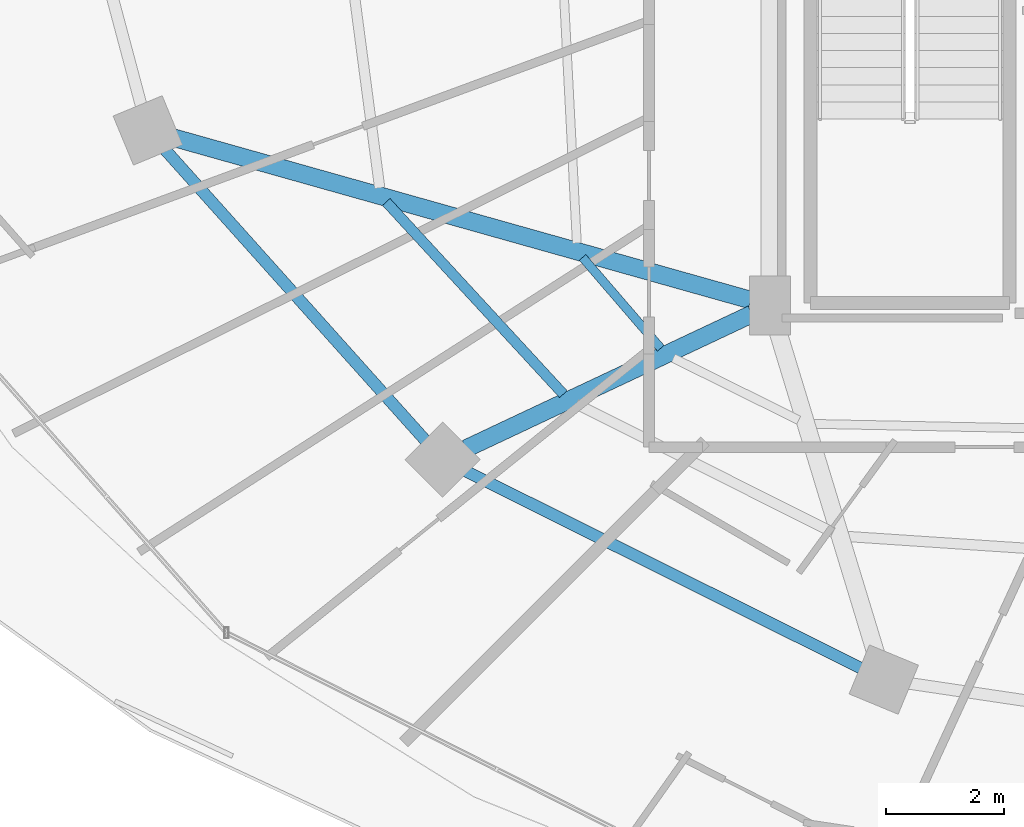
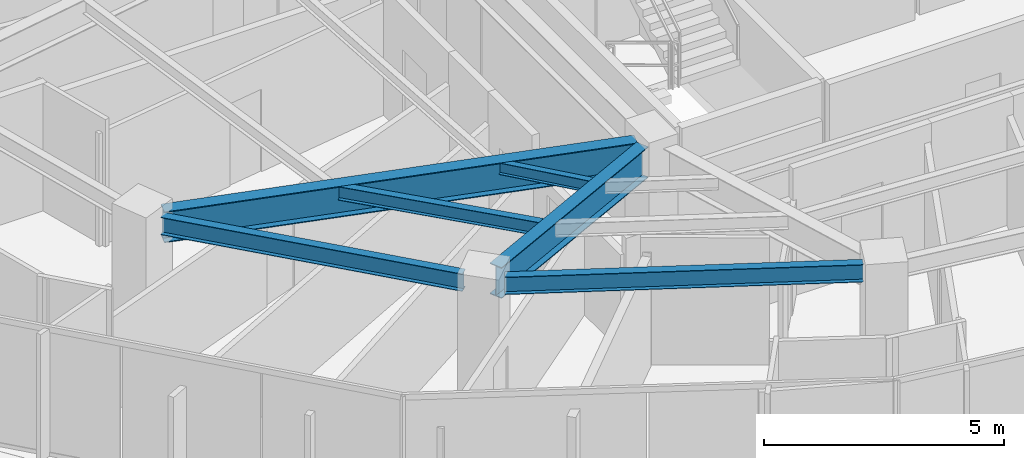
# One storey, part 4 of 33: 6 beams.
"""IFC4 building model written with IfcOpenShell, lengths in metres."""

from ifc_helpers import new_model, si_unit, direction, frame, origin, origin_2d, place, context, subcontext, project, spatial, i_section, extrude, material, material_profile, profile_set, type_object, element, save


model = new_model("IFC4")

# Units and contexts
model_context = context("Model", 3, precision=1e-05, world=origin(), true_north=direction((0.0, 1.0)))
body_context = subcontext(model_context, "Body", "Model", "MODEL_VIEW")
ifc_project = project(units=[si_unit("LENGTHUNIT", "METRE"), si_unit("AREAUNIT", "SQUARE_METRE"), si_unit("VOLUMEUNIT", "CUBIC_METRE"), si_unit("PLANEANGLEUNIT", "RADIAN"), si_unit("MASSUNIT", "GRAM", prefix="KILO")], contexts=[model_context])

# Site, building, storey
site_placement = place(None, origin())
site = spatial("IfcSite", under=ifc_project, at=site_placement, CompositionType="ELEMENT")
building_placement = place(site_placement, origin())
building = spatial("IfcBuilding", under=site, at=building_placement, Name="Vorneva Point Tower", CompositionType="ELEMENT")
storey_placement = place(building_placement, frame((0.0, 0.0, 179.10009765625)))
storey = spatial("IfcBuildingStorey", under=building, at=storey_placement, Name="L48", CompositionType="ELEMENT", Elevation=179.10009765625)

# Beams
ifc_material = material(Name="Steel S355", Category="steel")
ifc_material_profile_1 = material_profile(ifc_material, i_section(OverallWidth=0.300048828125, OverallDepth=0.7880859375, WebThickness=0.014404296875, FlangeThickness=0.02197265625, at=origin_2d()), Name="80Sh1")
ifc_profile_set_1 = profile_set([ifc_material_profile_1], Name="Steel S355")
beam_type_1 = type_object("IfcBeamType", Name="BM-GRD-80Sh1", PredefinedType="USERDEFINED", material=ifc_profile_set_1)
beam_1_placement = place(storey_placement, frame((17.126220703125, 19.299072265625, 2.845947265625), z_axis=(0.962603641144, -0.270913694847, 0.0), x_axis=(0.270913694847, 0.962603641144, 0.0)))
element("IfcBeam", 1, at=beam_1_placement, inside=storey, type_object=beam_type_1, Name="L48 Radial Primary Girder 10", ObjectType="GIRDER", PredefinedType="USERDEFINED", context=body_context, shape_type="SweptSolid", body=[
    extrude(i_section(OverallWidth=0.300048828125, OverallDepth=0.7880859375, WebThickness=0.014404296875, FlangeThickness=0.02197265625, at=origin_2d()), origin(), (0.0, 0.0, 1.0), 10.177001953125),
])
beam_2_placement = place(storey_placement, frame((22.097412109375, 14.0244140625, 2.845947265625), z_axis=(0.904762899762, 0.42591559635, 0.0), x_axis=(-0.42591559635, 0.904762899762, 0.0)))
element("IfcBeam", 2, at=beam_2_placement, inside=storey, type_object=beam_type_1, Name="L48 Radial Primary Girder 11", ObjectType="GIRDER", PredefinedType="USERDEFINED", context=body_context, shape_type="SweptSolid", body=[
    extrude(i_section(OverallWidth=0.300048828125, OverallDepth=0.7880859375, WebThickness=0.014404296875, FlangeThickness=0.02197265625, at=origin_2d()), origin(), (0.0, 0.0, 1.0), 5.35498046875),
])
ifc_material_profile_2 = material_profile(ifc_material, i_section(OverallWidth=0.14892578125, OverallDepth=0.298095703125, WebThickness=0.005615234375, FlangeThickness=0.008056640625, at=origin_2d()), Name="30B1")
ifc_profile_set_2 = profile_set([ifc_material_profile_2], Name="Steel S355")
beam_type_2 = type_object("IfcBeamType", Name="BM-JST-30B1", PredefinedType="JOIST", material=ifc_profile_set_2)
beam_3_placement = place(storey_placement, frame((24.07373046875, 17.2646484375, 3.0908203125), z_axis=(0.652492456858, -0.757795218871, 0.0), x_axis=(0.757795218871, 0.652492456858, 0.0)))
element("IfcBeam", 3, at=beam_3_placement, inside=storey, type_object=beam_type_2, Name="L48 Secondary Floor Beam 2.10", PredefinedType="JOIST", context=body_context, shape_type="SweptSolid", body=[
    extrude(i_section(OverallWidth=0.14892578125, OverallDepth=0.298095703125, WebThickness=0.005615234375, FlangeThickness=0.008056640625, at=origin_2d()), origin(), (0.0, 0.0, 1.0), 2.031005859375),
])
ifc_material_profile_3 = material_profile(ifc_material, i_section(OverallWidth=0.174072265625, OverallDepth=0.345947265625, WebThickness=0.006103515625, FlangeThickness=0.009033203125, at=origin_2d()), Name="35B1")
ifc_profile_set_3 = profile_set([ifc_material_profile_3], Name="Steel S355")
beam_type_3 = type_object("IfcBeamType", Name="BM-SEC-35B1", PredefinedType="BEAM", material=ifc_profile_set_3)
beam_4_placement = place(storey_placement, frame((20.746337890625, 18.205078125, 3.06689453125), z_axis=(0.677611480148, -0.735420071777, 0.0), x_axis=(0.735420071777, 0.677611480148, 0.0)))
element("IfcBeam", 4, at=beam_4_placement, inside=storey, type_object=beam_type_3, Name="L48 Secondary Floor Beam 1.10", PredefinedType="BEAM", context=body_context, shape_type="SweptSolid", body=[
    extrude(i_section(OverallWidth=0.174072265625, OverallDepth=0.345947265625, WebThickness=0.006103515625, FlangeThickness=0.009033203125, at=origin_2d()), origin(), (0.0, 0.0, 1.0), 4.43017578125),
])
ifc_material_profile_4 = material_profile(ifc_material, i_section(OverallWidth=0.198974609375, OverallDepth=0.446044921875, WebThickness=0.008056640625, FlangeThickness=0.011962890625, at=origin_2d()), Name="45B1")
ifc_profile_set_4 = profile_set([ifc_material_profile_4], Name="Steel S355")
beam_type_4 = type_object("IfcBeamType", Name="BM-SPN-45B1", PredefinedType="SPANDREL", material=ifc_profile_set_4)
beam_5_placement = place(storey_placement, frame((16.994873046875, 19.09375, 3.016845703125), z_axis=(0.66706970547, -0.744995307397, 0.0), x_axis=(0.744995307397, 0.66706970547, 0.0)))
element("IfcBeam", 5, at=beam_5_placement, inside=storey, type_object=beam_type_4, Name="L48 Perimeter Spandrel Ring Beam 10", PredefinedType="SPANDREL", context=body_context, shape_type="SweptSolid", body=[
    extrude(i_section(OverallWidth=0.198974609375, OverallDepth=0.446044921875, WebThickness=0.008056640625, FlangeThickness=0.011962890625, at=origin_2d()), origin(), (0.0, 0.0, 1.0), 6.6201171875),
])
beam_6_placement = place(storey_placement, frame((22.090576171875, 13.643798828125, 3.016845703125), z_axis=(0.894922371084, -0.446221861559, 0.0), x_axis=(0.446221861559, 0.894922371084, 0.0)))
element("IfcBeam", 6, at=beam_6_placement, inside=storey, type_object=beam_type_4, Name="L48 Perimeter Spandrel Ring Beam 11", PredefinedType="SPANDREL", context=body_context, shape_type="SweptSolid", body=[
    extrude(i_section(OverallWidth=0.198974609375, OverallDepth=0.446044921875, WebThickness=0.008056640625, FlangeThickness=0.011962890625, at=origin_2d()), origin(), (0.0, 0.0, 1.0), 7.48583984375),
])

save(model, "model.ifc")
